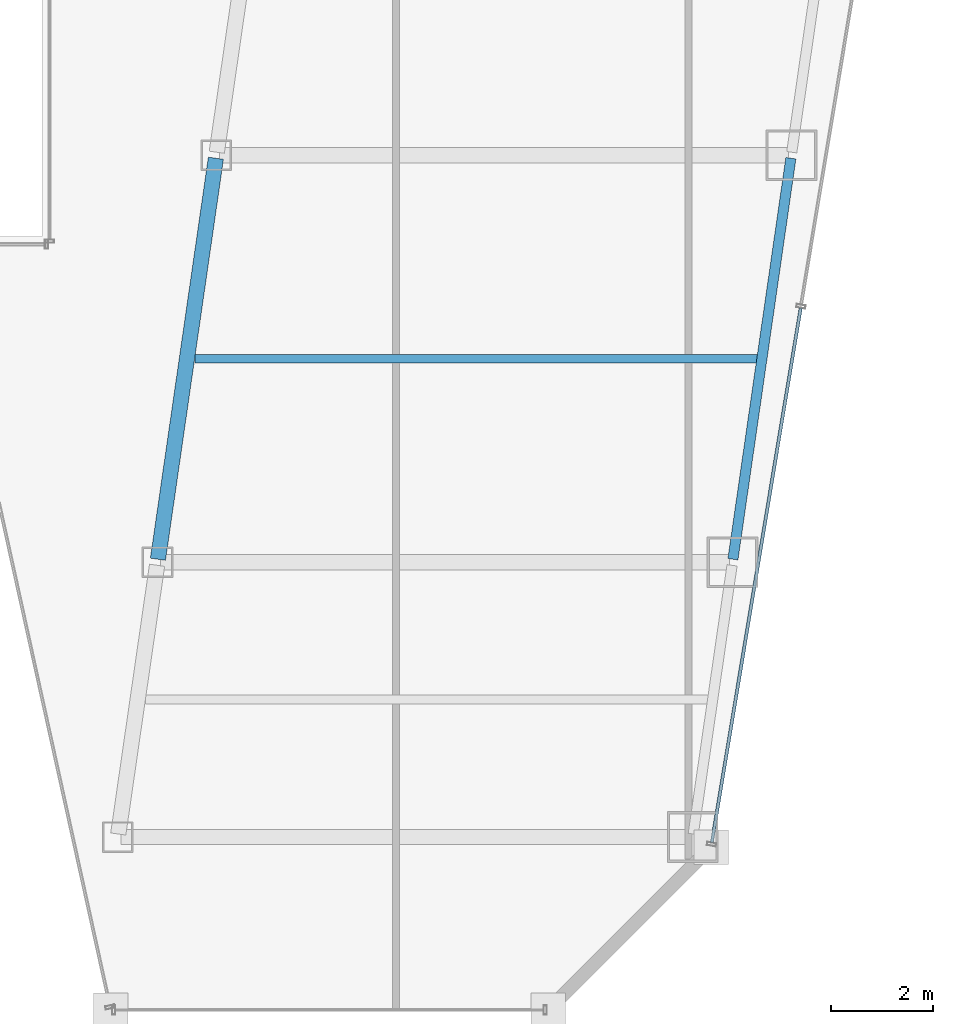
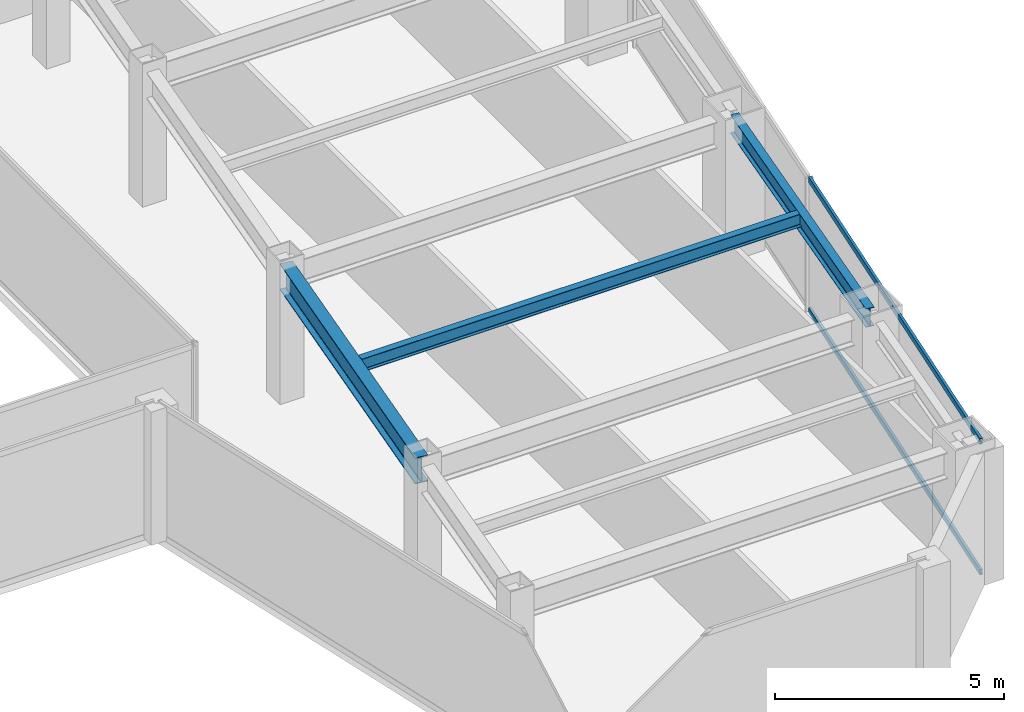
# One storey, part 15 of 36: 3 beams, 2 members, 1 element without a shape of its own.
"""IFC4 building model written with IfcOpenShell, lengths in metres."""

from ifc_helpers import new_model, si_unit, direction, frame, origin, origin_2d, place, context, subcontext, project, spatial, hollow_rectangle, i_section, extrude, material, material_profile, profile_set, type_object, element, aggregate, save


model = new_model("IFC4")

# Units and contexts
model_context = context("Model", 3, precision=1e-05, world=origin(), true_north=direction((0.0, 1.0)))
body_context = subcontext(model_context, "Body", "Model", "MODEL_VIEW")
ifc_project = project(units=[si_unit("LENGTHUNIT", "METRE"), si_unit("AREAUNIT", "SQUARE_METRE"), si_unit("VOLUMEUNIT", "CUBIC_METRE"), si_unit("PLANEANGLEUNIT", "RADIAN"), si_unit("MASSUNIT", "GRAM", prefix="KILO")], contexts=[model_context])

# Site, building, storey
site_placement = place(None, origin())
site = spatial("IfcSite", under=ifc_project, at=site_placement, CompositionType="ELEMENT")
building_placement = place(site_placement, origin())
building = spatial("IfcBuilding", under=site, at=building_placement, Name="Saevonmaru Cultural Tower", CompositionType="ELEMENT")
storey_placement = place(building_placement, frame((0.0, 0.0, 152.39990234375)))
storey = spatial("IfcBuildingStorey", under=building, at=storey_placement, Name="L33", CompositionType="ELEMENT", Elevation=152.39990234375)

# Beams
ifc_material_1 = material(Name="Steel SM355", Category="steel")
ifc_material_profile_1 = material_profile(ifc_material_1, i_section(OverallWidth=0.300048828125, OverallDepth=0.699951171875, WebThickness=0.012939453125, FlangeThickness=0.02392578125, FilletRadius=0.02587890625, at=origin_2d()), Name="H-700x300x13x24")
ifc_profile_set_1 = profile_set([ifc_material_profile_1], Name="Steel SM355")
beam_type_1 = type_object("IfcBeamType", Name="BM-G-H700", PredefinedType="BEAM", material=ifc_profile_set_1)
beam_1_placement = place(storey_placement, frame((38.08056640625, 16.059326171875, 3.2001953125), z_axis=(0.143022161059, 0.989719486241, 0.0), x_axis=(-0.989719486241, 0.143022161059, 0.0)))
element("IfcBeam", 1, at=beam_1_placement, inside=storey, type_object=beam_type_1, Name="L33 East Atrium Girder 2", PredefinedType="BEAM", context=body_context, shape_type="SweptSolid", body=[
    extrude(i_section(OverallWidth=0.300048828125, OverallDepth=0.699951171875, WebThickness=0.012939453125, FlangeThickness=0.02392578125, FilletRadius=0.02587890625, at=origin_2d()), origin(), (0.0, 0.0, 1.0), 7.963134765625),
])
ifc_material_profile_2 = material_profile(ifc_material_1, i_section(OverallWidth=0.175048828125, OverallDepth=0.35009765625, WebThickness=0.007080078125, FlangeThickness=0.010986328125, FilletRadius=0.012939453125, at=origin_2d()), Name="H-350x175x7x11")
ifc_profile_set_2 = profile_set([ifc_material_profile_2], Name="Steel SM355")
beam_type_2 = type_object("IfcBeamType", Name="BM-J-H350", PredefinedType="JOIST", material=ifc_profile_set_2)
beam_2_placement = place(storey_placement, frame((38.80810546875, 20.0, 3.375), z_axis=(1.0, 0.0, 0.0), x_axis=(0.0, 1.0, 0.0)))
element("IfcBeam", 2, at=beam_2_placement, inside=storey, type_object=beam_type_2, Name="L33 East Wing Floor Joist 2", PredefinedType="JOIST", context=body_context, shape_type="SweptSolid", body=[
    extrude(i_section(OverallWidth=0.175048828125, OverallDepth=0.35009765625, WebThickness=0.007080078125, FlangeThickness=0.010986328125, FilletRadius=0.012939453125, at=origin_2d()), origin(), (0.0, 0.0, 1.0), 11.081787109375),
])
ifc_material_profile_3 = material_profile(ifc_material_1, i_section(OverallWidth=0.199951171875, OverallDepth=0.5, WebThickness=0.010009765625, FlangeThickness=0.01611328125, FilletRadius=0.02001953125, at=origin_2d()), Name="H-500x200x10x16")
ifc_profile_set_3 = profile_set([ifc_material_profile_3], Name="Steel SM355")
beam_type_3 = type_object("IfcBeamType", Name="BM-SP-H500", PredefinedType="SPANDREL", material=ifc_profile_set_3)
beam_3_placement = place(storey_placement, frame((49.380615234375, 16.059326171875, 3.300048828125), z_axis=(0.142992129437, 0.989723825579, 0.0), x_axis=(-0.989723825579, 0.142992129437, 0.0)))
element("IfcBeam", 3, at=beam_3_placement, inside=storey, type_object=beam_type_3, Name="L33 East Splayed Spandrel 2", PredefinedType="SPANDREL", context=body_context, shape_type="SweptSolid", body=[
    extrude(i_section(OverallWidth=0.199951171875, OverallDepth=0.5, WebThickness=0.010009765625, FlangeThickness=0.01611328125, FilletRadius=0.02001953125, at=origin_2d()), origin(), (0.0, 0.0, 1.0), 7.963134765625),
])

# Curtain wall, members
ifc_material_2 = material(Name="Satin Bronze Anodised Aluminium", Category="aluminium")
curtain_wall_type = type_object("IfcCurtainWallType", Name="CW-TYP-A", PredefinedType="NOTDEFINED", material=ifc_material_2)
curtain_wall_placement = place(storey_placement, origin())
curtain_wall = element("IfcCurtainWall", 4, at=curtain_wall_placement, inside=storey, type_object=curtain_wall_type, Name="L33 Unitised Curtain Wall E8", PredefinedType="NOTDEFINED")
ifc_material_profile_4 = material_profile(ifc_material_2, hollow_rectangle(XDim=0.06494140625, YDim=0.14990234375, WallThickness=0.00390625, at=origin_2d()), Name="ALU-TRAN-150x65x4")
ifc_profile_set_4 = profile_set([ifc_material_profile_4], Name="Satin Bronze Anodised Aluminium")
member_type = type_object("IfcMemberType", Name="TR-CW-150x65", PredefinedType="USERDEFINED", material=ifc_profile_set_4)
member_1_placement = place(storey_placement, frame((48.96630859375, 10.4912109375, 0.03271484375), z_axis=(0.163990079074, 0.9864619881, 0.0), x_axis=(-0.9864619881, 0.163990079074, 0.0)))
member_1 = element("IfcMember", 5, at=member_1_placement, type_object=member_type, Name="CW-TW-L33-E8 transom 1.1", ObjectType="TRANSOM", PredefinedType="USERDEFINED", context=body_context, shape_type="SweptSolid", body=[
    extrude(hollow_rectangle(XDim=0.06494140625, YDim=0.14990234375, WallThickness=0.00390625, at=origin_2d()), origin(), (0.0, 0.0, 1.0), 10.650634765625),
])
member_2_placement = place(storey_placement, frame((48.96630859375, 10.4912109375, 3.517578125), z_axis=(0.163990079074, 0.9864619881, 0.0), x_axis=(-0.9864619881, 0.163990079074, 0.0)))
member_2 = element("IfcMember", 6, at=member_2_placement, type_object=member_type, Name="CW-TW-L33-E8 transom 1.2", ObjectType="TRANSOM", PredefinedType="USERDEFINED", context=body_context, shape_type="SweptSolid", body=[
    extrude(hollow_rectangle(XDim=0.06494140625, YDim=0.14990234375, WallThickness=0.00390625, at=origin_2d()), origin(), (0.0, 0.0, 1.0), 10.650634765625),
])
aggregate(curtain_wall, [member_1, member_2])

save(model, "model.ifc")
